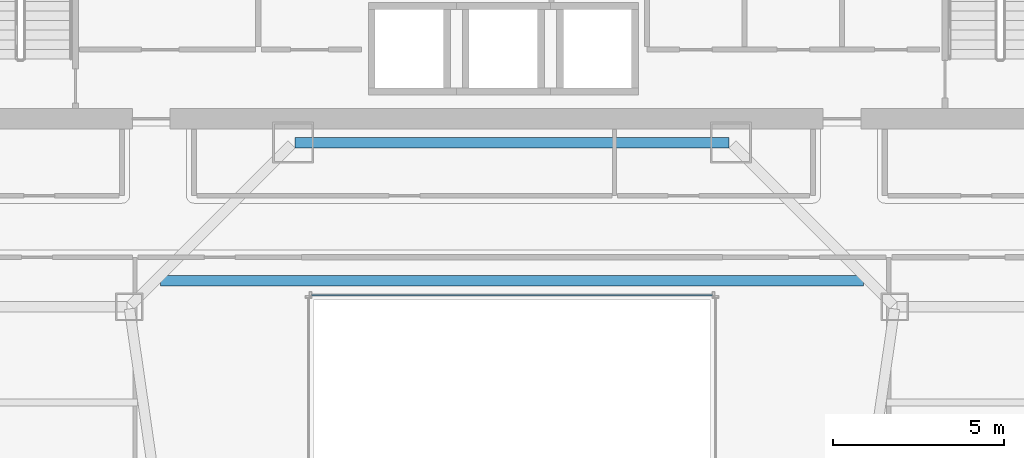
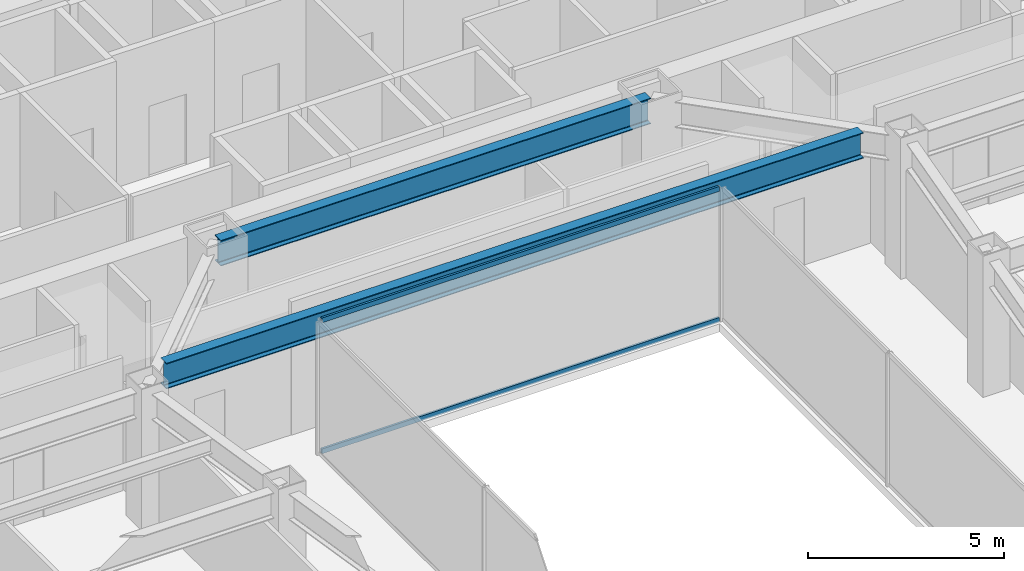
# One storey, part 25 of 49: 2 beams, 2 members, 1 element without a shape of its own.
"""IFC4 building model written with IfcOpenShell, lengths in metres."""

from ifc_helpers import new_model, si_unit, direction, frame, origin, origin_2d, place, context, subcontext, project, spatial, hollow_rectangle, i_section, extrude, material, material_profile, profile_set, type_object, element, aggregate, save


model = new_model("IFC4")

# Units and contexts
model_context = context("Model", 3, precision=1e-05, world=origin(), true_north=direction((0.0, 1.0)))
body_context = subcontext(model_context, "Body", "Model", "MODEL_VIEW")
ifc_project = project(units=[si_unit("LENGTHUNIT", "METRE"), si_unit("AREAUNIT", "SQUARE_METRE"), si_unit("VOLUMEUNIT", "CUBIC_METRE"), si_unit("PLANEANGLEUNIT", "RADIAN"), si_unit("MASSUNIT", "GRAM", prefix="KILO")], contexts=[model_context])

# Site, building, storey
site_placement = place(None, origin())
site = spatial("IfcSite", under=ifc_project, at=site_placement, CompositionType="ELEMENT")
building_placement = place(site_placement, origin())
building = spatial("IfcBuilding", under=site, at=building_placement, Name="Saevonmaru Cultural Tower", CompositionType="ELEMENT")
storey_placement = place(building_placement, frame((0.0, 0.0, 73.60009765625)))
storey = spatial("IfcBuildingStorey", under=building, at=storey_placement, Name="L15", CompositionType="ELEMENT", Elevation=73.60009765625)

# Beams
ifc_material_1 = material(Name="Steel SM420", Category="steel")
ifc_material_profile_1 = material_profile(ifc_material_1, i_section(OverallWidth=0.300048828125, OverallDepth=0.800048828125, WebThickness=0.013916015625, FlangeThickness=0.02587890625, FilletRadius=0.028076171875, at=origin_2d()), Name="H-800x300x14x26")
ifc_profile_set_1 = profile_set([ifc_material_profile_1], Name="Steel SM420")
beam_type = type_object("IfcBeamType", Name="BM-G-H800", PredefinedType="BEAM", material=ifc_profile_set_1)
beam_1_placement = place(storey_placement, frame((23.659912109375, 42.39990234375, 3.75), z_axis=(1.0, 0.0, 0.0), x_axis=(0.0, 1.0, 0.0)))
element("IfcBeam", 1, at=beam_1_placement, inside=storey, type_object=beam_type, Name="L15 Core South Girder 3", PredefinedType="BEAM", context=body_context, shape_type="SweptSolid", body=[
    extrude(i_section(OverallWidth=0.300048828125, OverallDepth=0.800048828125, WebThickness=0.013916015625, FlangeThickness=0.02587890625, FilletRadius=0.028076171875, at=origin_2d()), origin(), (0.0, 0.0, 1.0), 12.68017578125),
])
beam_2_placement = place(storey_placement, frame((19.724609375, 38.360107421875, 3.75), z_axis=(1.0, 0.0, 0.0), x_axis=(0.0, 1.0, 0.0)))
element("IfcBeam", 2, at=beam_2_placement, inside=storey, type_object=beam_type, Name="L15 Central Link Girder", PredefinedType="BEAM", context=body_context, shape_type="SweptSolid", body=[
    extrude(i_section(OverallWidth=0.300048828125, OverallDepth=0.800048828125, WebThickness=0.013916015625, FlangeThickness=0.02587890625, FilletRadius=0.028076171875, at=origin_2d()), origin(), (0.0, 0.0, 1.0), 20.55078125),
])

# Curtain wall, members
ifc_material_2 = material(Name="Satin Bronze Anodised Aluminium", Category="aluminium")
curtain_wall_type = type_object("IfcCurtainWallType", Name="CW-ATR-GLZ", PredefinedType="NOTDEFINED", material=ifc_material_2)
curtain_wall_placement = place(storey_placement, origin())
curtain_wall = element("IfcCurtainWall", 3, at=curtain_wall_placement, inside=storey, type_object=curtain_wall_type, Name="L15 Vertical Atrium Glazed Smoke Screen 3", PredefinedType="NOTDEFINED")
ifc_material_profile_2 = material_profile(ifc_material_2, hollow_rectangle(XDim=0.06494140625, YDim=0.14990234375, WallThickness=0.00390625, at=origin_2d()), Name="ALU-TRAN-150x65x4")
ifc_profile_set_2 = profile_set([ifc_material_profile_2], Name="Satin Bronze Anodised Aluminium")
member_type = type_object("IfcMemberType", Name="TR-CW-INT-150x65", PredefinedType="USERDEFINED", material=ifc_profile_set_2)
member_1_placement = place(storey_placement, frame((35.857421875, 37.949951171875, 0.032470703125), z_axis=(-1.0, 0.0, 0.0), x_axis=(0.0, -1.0, 0.0)))
member_1 = element("IfcMember", 4, at=member_1_placement, type_object=member_type, Name="CW-ATR-L15-3 transom 1.1", ObjectType="TRANSOM", PredefinedType="USERDEFINED", context=body_context, shape_type="SweptSolid", body=[
    extrude(hollow_rectangle(XDim=0.06494140625, YDim=0.14990234375, WallThickness=0.00390625, at=origin_2d()), origin(), (0.0, 0.0, 1.0), 11.71484375),
])
member_2_placement = place(storey_placement, frame((35.857421875, 37.949951171875, 4.117431640625), z_axis=(-1.0, 0.0, 0.0), x_axis=(0.0, -1.0, 0.0)))
member_2 = element("IfcMember", 5, at=member_2_placement, type_object=member_type, Name="CW-ATR-L15-3 transom 1.2", ObjectType="TRANSOM", PredefinedType="USERDEFINED", context=body_context, shape_type="SweptSolid", body=[
    extrude(hollow_rectangle(XDim=0.06494140625, YDim=0.14990234375, WallThickness=0.00390625, at=origin_2d()), origin(), (0.0, 0.0, 1.0), 11.71484375),
])
aggregate(curtain_wall, [member_1, member_2])

save(model, "model.ifc")
